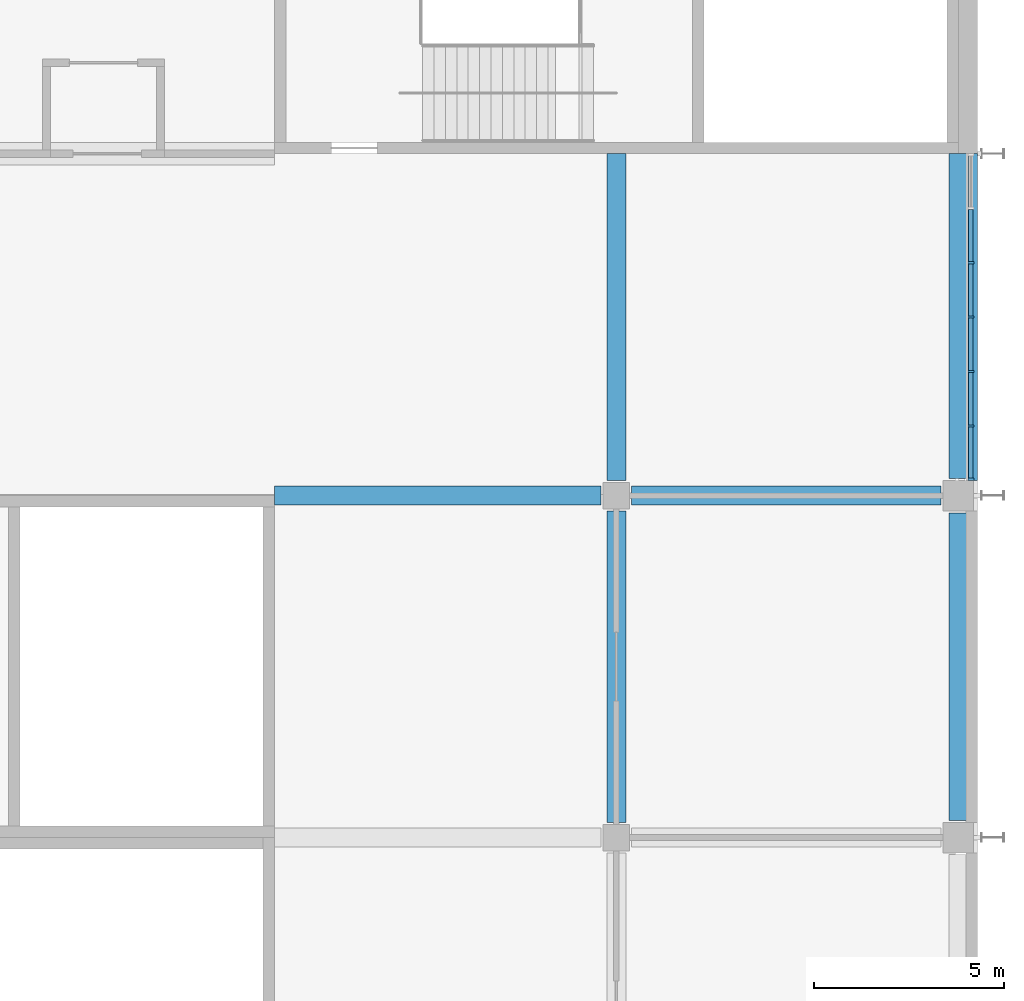
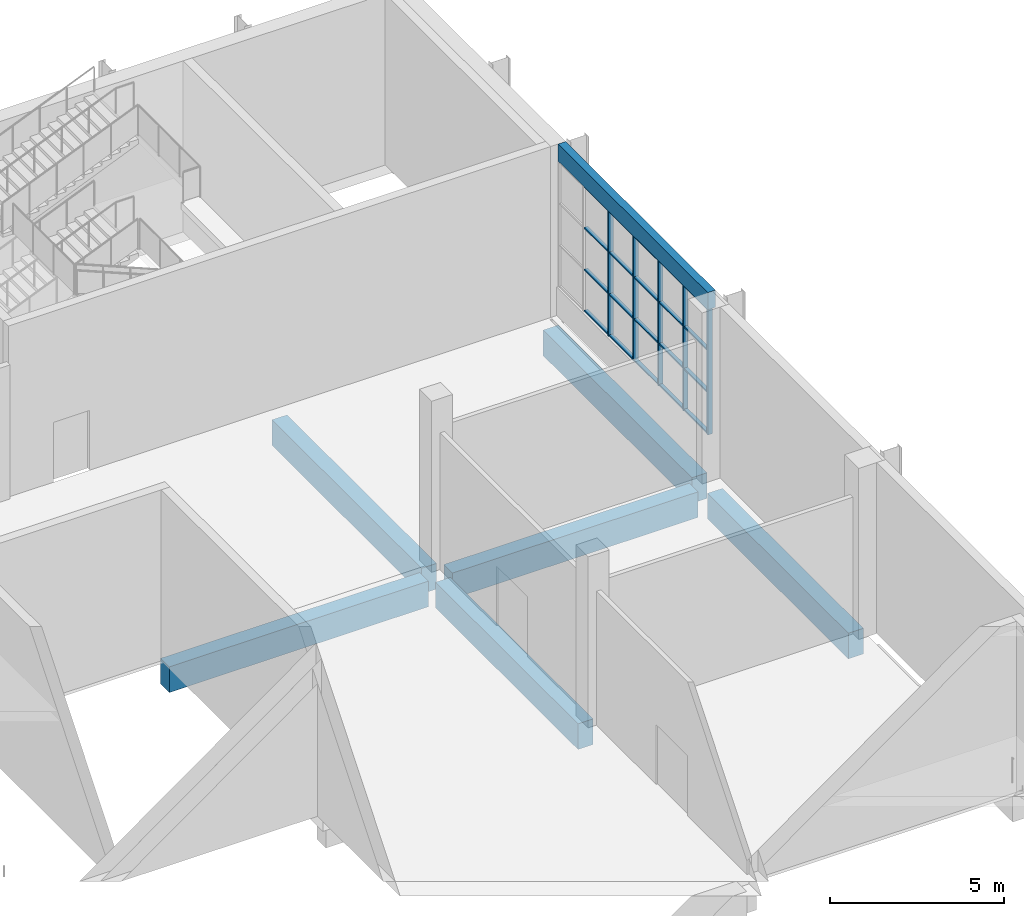
# One storey, part 23 of 89: 25 members, 7 beams, 1 element without a shape of its own.
"""IFC4 building model written with IfcOpenShell, lengths in metres."""

from ifc_helpers import new_model, si_unit, direction, frame, origin, origin_2d, place, context, subcontext, project, spatial, rectangle, extrude, material, material_profile, profile_set, type_object, element, aggregate, save


model = new_model("IFC4")

# Units and contexts
model_context = context("Model", 3, precision=1e-05, world=origin(), true_north=direction((0.0, 1.0)))
body_context = subcontext(model_context, "Body", "Model", "MODEL_VIEW")
ifc_project = project(units=[si_unit("LENGTHUNIT", "METRE"), si_unit("AREAUNIT", "SQUARE_METRE"), si_unit("VOLUMEUNIT", "CUBIC_METRE"), si_unit("PLANEANGLEUNIT", "RADIAN"), si_unit("MASSUNIT", "GRAM", prefix="KILO")], contexts=[model_context])

# Site, building, storey
site_placement = place(None, origin())
site = spatial("IfcSite", under=ifc_project, at=site_placement, CompositionType="ELEMENT")
building_placement = place(site_placement, origin())
building = spatial("IfcBuilding", under=site, at=building_placement, Name="Silverbay Arena", CompositionType="ELEMENT")
storey_placement = place(building_placement, frame((0.0, 0.0, 22.0)))
storey = spatial("IfcBuildingStorey", under=building, at=storey_placement, Name="L03", CompositionType="ELEMENT", Elevation=22.0)

# Curtain wall, members
ifc_material_1 = material(Name="Aluminium framed curtain wall", Category="aluminium")
curtain_wall_type = type_object("IfcCurtainWallType", Name="Curtain wall 8600 x 4400", PredefinedType="NOTDEFINED", material=ifc_material_1)
curtain_wall_placement = place(storey_placement, origin())
curtain_wall = element("IfcCurtainWall", 1, at=curtain_wall_placement, inside=storey, type_object=curtain_wall_type, Name="East curtain wall L03 bay 13", PredefinedType="NOTDEFINED")
ifc_material_2 = material(Name="Aluminium", Category="aluminium")
ifc_material_profile_1 = material_profile(ifc_material_2, rectangle(XDim=0.159912109375, YDim=0.06005859375, at=origin_2d()), Name="Mullion 60 x 160")
ifc_profile_set_1 = profile_set([ifc_material_profile_1], Name="Aluminium")
member_type_1 = type_object("IfcMemberType", Name="Mullion 60 x 160", PredefinedType="MULLION", material=ifc_profile_set_1)
member_1_placement = place(storey_placement, frame((207.330078125, 126.429931640625, 1.0), z_axis=(0.0, 0.0, 1.0), x_axis=(-1.0, 0.0, 0.0)))
member_1 = element("IfcMember", 2, at=member_1_placement, type_object=member_type_1, Name="CW12 mullion 1", PredefinedType="MULLION", context=body_context, shape_type="SweptSolid", body=[
    extrude(rectangle(XDim=0.159912109375, YDim=0.06005859375, at=origin_2d()), origin(), (0.0, 0.0, 1.0), 4.39990234375),
])
member_2_placement = place(storey_placement, frame((207.330078125, 127.833251953125, 1.0), z_axis=(0.0, 0.0, 1.0), x_axis=(-1.0, 0.0, 0.0)))
member_2 = element("IfcMember", 3, at=member_2_placement, type_object=member_type_1, Name="CW12 mullion 2", PredefinedType="MULLION", context=body_context, shape_type="SweptSolid", body=[
    extrude(rectangle(XDim=0.159912109375, YDim=0.06005859375, at=origin_2d()), origin(), (0.0, 0.0, 1.0), 4.39990234375),
])
member_3_placement = place(storey_placement, frame((207.330078125, 129.2666015625, 1.0), z_axis=(0.0, 0.0, 1.0), x_axis=(-1.0, 0.0, 0.0)))
member_3 = element("IfcMember", 4, at=member_3_placement, type_object=member_type_1, Name="CW12 mullion 3", PredefinedType="MULLION", context=body_context, shape_type="SweptSolid", body=[
    extrude(rectangle(XDim=0.159912109375, YDim=0.06005859375, at=origin_2d()), origin(), (0.0, 0.0, 1.0), 4.39990234375),
])
member_4_placement = place(storey_placement, frame((207.330078125, 130.699951171875, 1.0), z_axis=(0.0, 0.0, 1.0), x_axis=(-1.0, 0.0, 0.0)))
member_4 = element("IfcMember", 5, at=member_4_placement, type_object=member_type_1, Name="CW12 mullion 4", PredefinedType="MULLION", context=body_context, shape_type="SweptSolid", body=[
    extrude(rectangle(XDim=0.159912109375, YDim=0.06005859375, at=origin_2d()), origin(), (0.0, 0.0, 1.0), 4.39990234375),
])
member_5_placement = place(storey_placement, frame((207.330078125, 132.13330078125, 1.0), z_axis=(0.0, 0.0, 1.0), x_axis=(-1.0, 0.0, 0.0)))
member_5 = element("IfcMember", 6, at=member_5_placement, type_object=member_type_1, Name="CW12 mullion 5", PredefinedType="MULLION", context=body_context, shape_type="SweptSolid", body=[
    extrude(rectangle(XDim=0.159912109375, YDim=0.06005859375, at=origin_2d()), origin(), (0.0, 0.0, 1.0), 4.39990234375),
])

# Beams
ifc_material_3 = material(Name="Concrete Grade C45", Category="concrete")
ifc_material_profile_2 = material_profile(ifc_material_3, rectangle(XDim=0.5, YDim=0.89990234375, at=origin_2d()), Name="RC 500x900")
ifc_profile_set_2 = profile_set([ifc_material_profile_2], Name="Concrete Grade C45")
beam_type_1 = type_object("IfcBeamType", Name="RC beam 500x900", PredefinedType="BEAM", material=ifc_profile_set_2)
beam_1_placement = place(storey_placement, frame((189.0, 126.0, -0.800048828125), z_axis=(1.0, 0.0, 0.0), x_axis=(0.0, 1.0, 0.0)))
element("IfcBeam", 7, at=beam_1_placement, inside=storey, type_object=beam_type_1, Name="Floor beam L03 071", PredefinedType="BEAM", context=body_context, shape_type="SweptSolid", body=[
    extrude(rectangle(XDim=0.5, YDim=0.89990234375, at=origin_2d()), origin(), (0.0, 0.0, 1.0), 8.60009765625),
])
beam_2_placement = place(storey_placement, frame((198.39990234375, 126.0, -0.800048828125), z_axis=(1.0, 0.0, 0.0), x_axis=(0.0, 1.0, 0.0)))
element("IfcBeam", 8, at=beam_2_placement, inside=storey, type_object=beam_type_1, Name="Floor beam L03 072", PredefinedType="BEAM", context=body_context, shape_type="SweptSolid", body=[
    extrude(rectangle(XDim=0.5, YDim=0.89990234375, at=origin_2d()), origin(), (0.0, 0.0, 1.0), 8.150146484375),
])
beam_3_placement = place(storey_placement, frame((198.0, 117.39990234375, -0.800048828125), z_axis=(0.0, 1.0, 0.0), x_axis=(-1.0, 0.0, 0.0)))
element("IfcBeam", 9, at=beam_3_placement, inside=storey, type_object=beam_type_1, Name="Floor beam L03 169", PredefinedType="BEAM", context=body_context, shape_type="SweptSolid", body=[
    extrude(rectangle(XDim=0.5, YDim=0.89990234375, at=origin_2d()), origin(), (0.0, 0.0, 1.0), 8.2001953125),
])
beam_4_placement = place(storey_placement, frame((198.0, 126.39990234375, -0.800048828125), z_axis=(0.0, 1.0, 0.0), x_axis=(-1.0, 0.0, 0.0)))
element("IfcBeam", 10, at=beam_4_placement, inside=storey, type_object=beam_type_1, Name="Floor beam L03 170", PredefinedType="BEAM", context=body_context, shape_type="SweptSolid", body=[
    extrude(rectangle(XDim=0.5, YDim=0.89990234375, at=origin_2d()), origin(), (0.0, 0.0, 1.0), 8.60009765625),
])
beam_5_placement = place(storey_placement, frame((207.0, 117.449951171875, -0.800048828125), z_axis=(0.0, 1.0, 0.0), x_axis=(-1.0, 0.0, 0.0)))
element("IfcBeam", 11, at=beam_5_placement, inside=storey, type_object=beam_type_1, Name="Floor beam L03 177", PredefinedType="BEAM", context=body_context, shape_type="SweptSolid", body=[
    extrude(rectangle(XDim=0.5, YDim=0.89990234375, at=origin_2d()), origin(), (0.0, 0.0, 1.0), 8.10009765625),
])
beam_6_placement = place(storey_placement, frame((207.0, 126.449951171875, -0.800048828125), z_axis=(0.0, 1.0, 0.0), x_axis=(-1.0, 0.0, 0.0)))
element("IfcBeam", 12, at=beam_6_placement, inside=storey, type_object=beam_type_1, Name="Floor beam L03 178", PredefinedType="BEAM", context=body_context, shape_type="SweptSolid", body=[
    extrude(rectangle(XDim=0.5, YDim=0.89990234375, at=origin_2d()), origin(), (0.0, 0.0, 1.0), 8.550048828125),
])
ifc_material_4 = material(Name="Concrete Grade C45", Category="concrete")
ifc_material_profile_3 = material_profile(ifc_material_4, rectangle(XDim=0.25, YDim=0.60009765625, at=origin_2d()), Name="RC 250x600")
ifc_profile_set_3 = profile_set([ifc_material_profile_3], Name="Concrete Grade C45")
beam_type_2 = type_object("IfcBeamType", Name="RC facade beam 250x600", PredefinedType="SPANDREL", material=ifc_profile_set_3)
beam_7_placement = place(storey_placement, frame((207.375, 126.39990234375, 5.699951171875), z_axis=(0.0, 1.0, 0.0), x_axis=(-1.0, 0.0, 0.0)))
element("IfcBeam", 13, at=beam_7_placement, inside=storey, type_object=beam_type_2, Name="Facade beam L03 east", PredefinedType="SPANDREL", context=body_context, shape_type="SweptSolid", body=[
    extrude(rectangle(XDim=0.25, YDim=0.60009765625, at=origin_2d()), origin(), (0.0, 0.0, 1.0), 8.60009765625),
])

# Member
ifc_material_5 = material(Name="Aluminium", Category="aluminium")
ifc_material_profile_4 = material_profile(ifc_material_5, rectangle(XDim=0.1201171875, YDim=0.050048828125, at=origin_2d()), Name="Transom 50 x 120")
ifc_profile_set_4 = profile_set([ifc_material_profile_4], Name="Aluminium")
member_type_2 = type_object("IfcMemberType", Name="Transom 50 x 120", PredefinedType="USERDEFINED", material=ifc_profile_set_4)
member_6_placement = place(storey_placement, frame((207.330078125, 126.4599609375, 1.02490234375), z_axis=(0.0, 1.0, 0.0), x_axis=(-1.0, 0.0, 0.0)))
member_6 = element("IfcMember", 14, at=member_6_placement, type_object=member_type_2, Name="CW12 transom 1.1", ObjectType="TRANSOM", PredefinedType="USERDEFINED", context=body_context, shape_type="SweptSolid", body=[
    extrude(rectangle(XDim=0.1201171875, YDim=0.050048828125, at=origin_2d()), origin(), (0.0, 0.0, 1.0), 1.34326171875),
])

member_7_placement = place(storey_placement, frame((207.330078125, 126.4599609375, 2.466552734375), z_axis=(0.0, 1.0, 0.0), x_axis=(-1.0, 0.0, 0.0)))
member_7 = element("IfcMember", 15, at=member_7_placement, type_object=member_type_2, Name="CW12 transom 1.2", ObjectType="TRANSOM", PredefinedType="USERDEFINED", context=body_context, shape_type="SweptSolid", body=[
    extrude(rectangle(XDim=0.1201171875, YDim=0.050048828125, at=origin_2d()), origin(), (0.0, 0.0, 1.0), 1.34326171875),
])

member_8_placement = place(storey_placement, frame((207.330078125, 126.4599609375, 3.933349609375), z_axis=(0.0, 1.0, 0.0), x_axis=(-1.0, 0.0, 0.0)))
member_8 = element("IfcMember", 16, at=member_8_placement, type_object=member_type_2, Name="CW12 transom 1.3", ObjectType="TRANSOM", PredefinedType="USERDEFINED", context=body_context, shape_type="SweptSolid", body=[
    extrude(rectangle(XDim=0.1201171875, YDim=0.050048828125, at=origin_2d()), origin(), (0.0, 0.0, 1.0), 1.34326171875),
])

member_9_placement = place(storey_placement, frame((207.330078125, 126.4599609375, 5.375), z_axis=(0.0, 1.0, 0.0), x_axis=(-1.0, 0.0, 0.0)))
member_9 = element("IfcMember", 17, at=member_9_placement, type_object=member_type_2, Name="CW12 transom 1.4", ObjectType="TRANSOM", PredefinedType="USERDEFINED", context=body_context, shape_type="SweptSolid", body=[
    extrude(rectangle(XDim=0.1201171875, YDim=0.050048828125, at=origin_2d()), origin(), (0.0, 0.0, 1.0), 1.34326171875),
])

member_10_placement = place(storey_placement, frame((207.330078125, 127.86328125, 1.02490234375), z_axis=(0.0, 1.0, 0.0), x_axis=(-1.0, 0.0, 0.0)))
member_10 = element("IfcMember", 18, at=member_10_placement, type_object=member_type_2, Name="CW12 transom 2.1", ObjectType="TRANSOM", PredefinedType="USERDEFINED", context=body_context, shape_type="SweptSolid", body=[
    extrude(rectangle(XDim=0.1201171875, YDim=0.050048828125, at=origin_2d()), origin(), (0.0, 0.0, 1.0), 1.373291015625),
])

member_11_placement = place(storey_placement, frame((207.330078125, 127.86328125, 2.466552734375), z_axis=(0.0, 1.0, 0.0), x_axis=(-1.0, 0.0, 0.0)))
member_11 = element("IfcMember", 19, at=member_11_placement, type_object=member_type_2, Name="CW12 transom 2.2", ObjectType="TRANSOM", PredefinedType="USERDEFINED", context=body_context, shape_type="SweptSolid", body=[
    extrude(rectangle(XDim=0.1201171875, YDim=0.050048828125, at=origin_2d()), origin(), (0.0, 0.0, 1.0), 1.373291015625),
])

member_12_placement = place(storey_placement, frame((207.330078125, 127.86328125, 3.933349609375), z_axis=(0.0, 1.0, 0.0), x_axis=(-1.0, 0.0, 0.0)))
member_12 = element("IfcMember", 20, at=member_12_placement, type_object=member_type_2, Name="CW12 transom 2.3", ObjectType="TRANSOM", PredefinedType="USERDEFINED", context=body_context, shape_type="SweptSolid", body=[
    extrude(rectangle(XDim=0.1201171875, YDim=0.050048828125, at=origin_2d()), origin(), (0.0, 0.0, 1.0), 1.373291015625),
])

member_13_placement = place(storey_placement, frame((207.330078125, 127.86328125, 5.375), z_axis=(0.0, 1.0, 0.0), x_axis=(-1.0, 0.0, 0.0)))
member_13 = element("IfcMember", 21, at=member_13_placement, type_object=member_type_2, Name="CW12 transom 2.4", ObjectType="TRANSOM", PredefinedType="USERDEFINED", context=body_context, shape_type="SweptSolid", body=[
    extrude(rectangle(XDim=0.1201171875, YDim=0.050048828125, at=origin_2d()), origin(), (0.0, 0.0, 1.0), 1.373291015625),
])

member_14_placement = place(storey_placement, frame((207.330078125, 129.296630859375, 1.02490234375), z_axis=(0.0, 1.0, 0.0), x_axis=(-1.0, 0.0, 0.0)))
member_14 = element("IfcMember", 22, at=member_14_placement, type_object=member_type_2, Name="CW12 transom 3.1", ObjectType="TRANSOM", PredefinedType="USERDEFINED", context=body_context, shape_type="SweptSolid", body=[
    extrude(rectangle(XDim=0.1201171875, YDim=0.050048828125, at=origin_2d()), origin(), (0.0, 0.0, 1.0), 1.373291015625),
])

member_15_placement = place(storey_placement, frame((207.330078125, 129.296630859375, 2.466552734375), z_axis=(0.0, 1.0, 0.0), x_axis=(-1.0, 0.0, 0.0)))
member_15 = element("IfcMember", 23, at=member_15_placement, type_object=member_type_2, Name="CW12 transom 3.2", ObjectType="TRANSOM", PredefinedType="USERDEFINED", context=body_context, shape_type="SweptSolid", body=[
    extrude(rectangle(XDim=0.1201171875, YDim=0.050048828125, at=origin_2d()), origin(), (0.0, 0.0, 1.0), 1.373291015625),
])

member_16_placement = place(storey_placement, frame((207.330078125, 129.296630859375, 3.933349609375), z_axis=(0.0, 1.0, 0.0), x_axis=(-1.0, 0.0, 0.0)))
member_16 = element("IfcMember", 24, at=member_16_placement, type_object=member_type_2, Name="CW12 transom 3.3", ObjectType="TRANSOM", PredefinedType="USERDEFINED", context=body_context, shape_type="SweptSolid", body=[
    extrude(rectangle(XDim=0.1201171875, YDim=0.050048828125, at=origin_2d()), origin(), (0.0, 0.0, 1.0), 1.373291015625),
])

member_17_placement = place(storey_placement, frame((207.330078125, 129.296630859375, 5.375), z_axis=(0.0, 1.0, 0.0), x_axis=(-1.0, 0.0, 0.0)))
member_17 = element("IfcMember", 25, at=member_17_placement, type_object=member_type_2, Name="CW12 transom 3.4", ObjectType="TRANSOM", PredefinedType="USERDEFINED", context=body_context, shape_type="SweptSolid", body=[
    extrude(rectangle(XDim=0.1201171875, YDim=0.050048828125, at=origin_2d()), origin(), (0.0, 0.0, 1.0), 1.373291015625),
])

member_18_placement = place(storey_placement, frame((207.330078125, 130.72998046875, 1.02490234375), z_axis=(0.0, 1.0, 0.0), x_axis=(-1.0, 0.0, 0.0)))
member_18 = element("IfcMember", 26, at=member_18_placement, type_object=member_type_2, Name="CW12 transom 4.1", ObjectType="TRANSOM", PredefinedType="USERDEFINED", context=body_context, shape_type="SweptSolid", body=[
    extrude(rectangle(XDim=0.1201171875, YDim=0.050048828125, at=origin_2d()), origin(), (0.0, 0.0, 1.0), 1.373291015625),
])

member_19_placement = place(storey_placement, frame((207.330078125, 130.72998046875, 2.466552734375), z_axis=(0.0, 1.0, 0.0), x_axis=(-1.0, 0.0, 0.0)))
member_19 = element("IfcMember", 27, at=member_19_placement, type_object=member_type_2, Name="CW12 transom 4.2", ObjectType="TRANSOM", PredefinedType="USERDEFINED", context=body_context, shape_type="SweptSolid", body=[
    extrude(rectangle(XDim=0.1201171875, YDim=0.050048828125, at=origin_2d()), origin(), (0.0, 0.0, 1.0), 1.373291015625),
])

member_20_placement = place(storey_placement, frame((207.330078125, 130.72998046875, 3.933349609375), z_axis=(0.0, 1.0, 0.0), x_axis=(-1.0, 0.0, 0.0)))
member_20 = element("IfcMember", 28, at=member_20_placement, type_object=member_type_2, Name="CW12 transom 4.3", ObjectType="TRANSOM", PredefinedType="USERDEFINED", context=body_context, shape_type="SweptSolid", body=[
    extrude(rectangle(XDim=0.1201171875, YDim=0.050048828125, at=origin_2d()), origin(), (0.0, 0.0, 1.0), 1.373291015625),
])

member_21_placement = place(storey_placement, frame((207.330078125, 130.72998046875, 5.375), z_axis=(0.0, 1.0, 0.0), x_axis=(-1.0, 0.0, 0.0)))
member_21 = element("IfcMember", 29, at=member_21_placement, type_object=member_type_2, Name="CW12 transom 4.4", ObjectType="TRANSOM", PredefinedType="USERDEFINED", context=body_context, shape_type="SweptSolid", body=[
    extrude(rectangle(XDim=0.1201171875, YDim=0.050048828125, at=origin_2d()), origin(), (0.0, 0.0, 1.0), 1.373291015625),
])

member_22_placement = place(storey_placement, frame((207.330078125, 132.163330078125, 1.02490234375), z_axis=(0.0, 1.0, 0.0), x_axis=(-1.0, 0.0, 0.0)))
member_22 = element("IfcMember", 30, at=member_22_placement, type_object=member_type_2, Name="CW12 transom 5.1", ObjectType="TRANSOM", PredefinedType="USERDEFINED", context=body_context, shape_type="SweptSolid", body=[
    extrude(rectangle(XDim=0.1201171875, YDim=0.050048828125, at=origin_2d()), origin(), (0.0, 0.0, 1.0), 1.373291015625),
])

member_23_placement = place(storey_placement, frame((207.330078125, 132.163330078125, 2.466552734375), z_axis=(0.0, 1.0, 0.0), x_axis=(-1.0, 0.0, 0.0)))
member_23 = element("IfcMember", 31, at=member_23_placement, type_object=member_type_2, Name="CW12 transom 5.2", ObjectType="TRANSOM", PredefinedType="USERDEFINED", context=body_context, shape_type="SweptSolid", body=[
    extrude(rectangle(XDim=0.1201171875, YDim=0.050048828125, at=origin_2d()), origin(), (0.0, 0.0, 1.0), 1.373291015625),
])

member_24_placement = place(storey_placement, frame((207.330078125, 132.163330078125, 3.933349609375), z_axis=(0.0, 1.0, 0.0), x_axis=(-1.0, 0.0, 0.0)))
member_24 = element("IfcMember", 32, at=member_24_placement, type_object=member_type_2, Name="CW12 transom 5.3", ObjectType="TRANSOM", PredefinedType="USERDEFINED", context=body_context, shape_type="SweptSolid", body=[
    extrude(rectangle(XDim=0.1201171875, YDim=0.050048828125, at=origin_2d()), origin(), (0.0, 0.0, 1.0), 1.373291015625),
])

member_25_placement = place(storey_placement, frame((207.330078125, 132.163330078125, 5.375), z_axis=(0.0, 1.0, 0.0), x_axis=(-1.0, 0.0, 0.0)))
member_25 = element("IfcMember", 33, at=member_25_placement, type_object=member_type_2, Name="CW12 transom 5.4", ObjectType="TRANSOM", PredefinedType="USERDEFINED", context=body_context, shape_type="SweptSolid", body=[
    extrude(rectangle(XDim=0.1201171875, YDim=0.050048828125, at=origin_2d()), origin(), (0.0, 0.0, 1.0), 1.373291015625),
])

aggregate(curtain_wall, [member_1, member_2, member_3, member_4, member_5, member_6, member_7, member_8, member_9, member_10, member_11, member_12, member_13, member_14, member_15, member_16, member_17, member_18, member_19, member_20, member_21, member_22, member_23, member_24, member_25])

save(model, "model.ifc")
